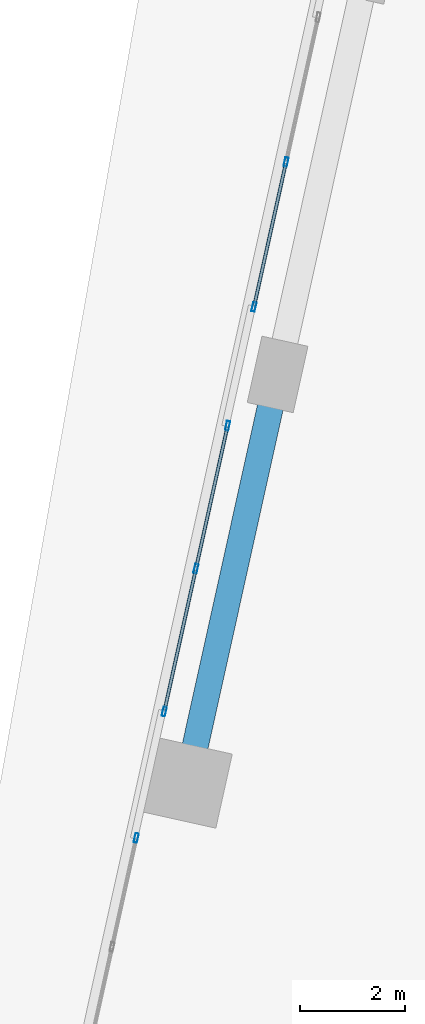
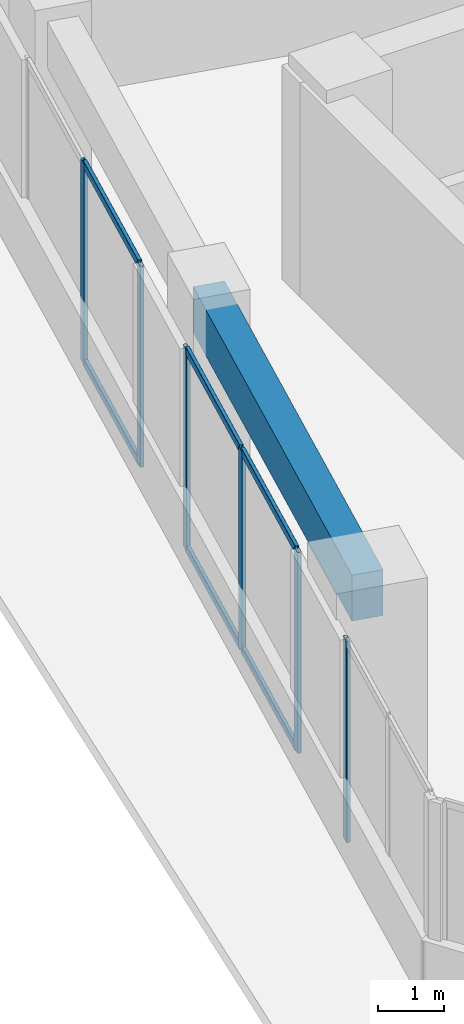
# One storey, part 6 of 25: 12 members, 1 beam, 3 elements without a shape of their own.
"""IFC4 building model written with IfcOpenShell, lengths in metres."""

from ifc_helpers import new_model, si_unit, direction, frame, origin, origin_2d, place, context, subcontext, project, spatial, rectangle, hollow_rectangle, extrude, source, transform, mapped, material, material_profile, profile_set, type_object, element, aggregate, save


model = new_model("IFC4")

# Units and contexts
model_context = context("Model", 3, precision=1e-05, world=origin(), true_north=direction((0.0, 1.0)))
body_context = subcontext(model_context, "Body", "Model", "MODEL_VIEW")
ifc_project = project(units=[si_unit("LENGTHUNIT", "METRE"), si_unit("AREAUNIT", "SQUARE_METRE"), si_unit("VOLUMEUNIT", "CUBIC_METRE"), si_unit("PLANEANGLEUNIT", "RADIAN"), si_unit("MASSUNIT", "GRAM", prefix="KILO")], contexts=[model_context])

# Site, building, storey
site_placement = place(None, origin())
site = spatial("IfcSite", under=ifc_project, at=site_placement, CompositionType="ELEMENT")
building_placement = place(site_placement, origin())
building = spatial("IfcBuilding", under=site, at=building_placement, Name="Torre Montelarca", CompositionType="ELEMENT")
storey_placement = place(building_placement, frame((0.0, 0.0, 87.39990234375)))
storey = spatial("IfcBuildingStorey", under=building, at=storey_placement, Name="L19", CompositionType="ELEMENT", Elevation=87.39990234375)

# Beam
ifc_material_1 = material(Name="Concrete C55/67", Category="concrete")
ifc_material_profile_1 = material_profile(ifc_material_1, rectangle(XDim=0.5, YDim=0.85009765625, at=origin_2d()), Name="RCB500X850", Category="concrete")
ifc_profile_set_1 = profile_set([ifc_material_profile_1], Name="Concrete C55/67")
beam_type = type_object("IfcBeamType", Name="BM-SP-RC850-EXT", PredefinedType="SPANDREL", material=ifc_profile_set_1)
shared_shape_1 = source(origin(), body_context, "Body", "SweptSolid", [
    extrude(rectangle(XDim=0.5, YDim=0.85009765625, at=origin_2d()), origin(), (0.0, 0.0, 1.0), 8.0),
])
beam_placement = place(storey_placement, frame((3.31787109375, 27.836669921875, 3.53515625), z_axis=(0.216432808664, 0.976297515788, 0.0), x_axis=(-0.976297515788, 0.216432808664, 0.0)))
element("IfcBeam", 1, at=beam_placement, inside=storey, type_object=beam_type, Name="L19 Grid Girder Y 24.0-32.0 at X=4.7", PredefinedType="SPANDREL", context=body_context, shape_type="MappedRepresentation", body=[
    mapped(shared_shape_1, transform((0.0, 0.0, 0.0), scale=1.0)),
])

# Curtain wall, members
ifc_material_2 = material(Name="Insulated low-E laminated glass", Category="glass")
curtain_wall_type = type_object("IfcCurtainWallType", Name="CW-SYS-Z1", PredefinedType="USERDEFINED", material=ifc_material_2)
curtain_wall_1_placement = place(storey_placement, origin())
curtain_wall_1 = element("IfcCurtainWall", 2, at=curtain_wall_1_placement, inside=storey, type_object=curtain_wall_type, Name="L19 Curtain Wall Run CW-T3-L19-E10-B1", ObjectType="UNITISED GLAZING", PredefinedType="USERDEFINED")
ifc_material_3 = material(Name="Anodised aluminium AA 6063-T6", Category="aluminium")
ifc_material_profile_2 = material_profile(ifc_material_3, hollow_rectangle(XDim=0.06494140625, YDim=0.139892578125, WallThickness=0.00390625, InnerFilletRadius=0.00390625, OuterFilletRadius=0.008056640625, at=origin_2d()), Name="ALU65X140X4", Category="aluminium")
ifc_profile_set_2 = profile_set([ifc_material_profile_2], Name="Anodised aluminium AA 6063-T6")
member_type_1 = type_object("IfcMemberType", Name="CWT-ALU140", PredefinedType="USERDEFINED", material=ifc_profile_set_2)
shared_shape_2 = source(origin(), body_context, "Body", "SweptSolid", [
    extrude(hollow_rectangle(XDim=0.06494140625, YDim=0.139892578125, WallThickness=0.00390625, InnerFilletRadius=0.00390625, OuterFilletRadius=0.008056640625, at=origin_2d()), origin(), (0.0, 0.0, 1.0), 2.7724609375),
])
member_1_placement = place(storey_placement, frame((5.205322265625, 39.67626953125, 0.03271484375), z_axis=(-0.216445596243, -0.976294680856, 0.0), x_axis=(0.976294680856, -0.216445596243, 0.0)))
member_1 = element("IfcMember", 3, at=member_1_placement, type_object=member_type_1, Name="CW transom 2.1", ObjectType="TRANSOM", PredefinedType="USERDEFINED", context=body_context, shape_type="MappedRepresentation", body=[
    mapped(shared_shape_2, transform((0.0, 0.0, 0.0), scale=1.0)),
])
member_2_placement = place(storey_placement, frame((5.205322265625, 39.67626953125, 3.6875), z_axis=(-0.216445596243, -0.976294680856, 0.0), x_axis=(0.976294680856, -0.216445596243, 0.0)))
member_2 = element("IfcMember", 4, at=member_2_placement, type_object=member_type_1, Name="CW transom 2.2", ObjectType="TRANSOM", PredefinedType="USERDEFINED", context=body_context, shape_type="MappedRepresentation", body=[
    mapped(shared_shape_2, transform((0.0, 0.0, 0.0), scale=1.0)),
])

curtain_wall_2_placement = place(storey_placement, origin())
curtain_wall_2 = element("IfcCurtainWall", 5, at=curtain_wall_2_placement, inside=storey, type_object=curtain_wall_type, Name="L19 Curtain Wall Run CW-T3-L19-E10-B2", ObjectType="UNITISED GLAZING", PredefinedType="USERDEFINED")
shared_shape_3 = source(origin(), body_context, "Body", "SweptSolid", [
    extrude(hollow_rectangle(XDim=0.06494140625, YDim=0.139892578125, WallThickness=0.00390625, InnerFilletRadius=0.00390625, OuterFilletRadius=0.008056640625, at=origin_2d()), origin(), (0.0, 0.0, 1.0), 2.735107421875),
])
member_3_placement = place(storey_placement, frame((4.087890625, 34.63623046875, 0.03271484375), z_axis=(-0.216467306264, -0.976289867467, 0.0), x_axis=(0.976289867467, -0.216467306264, 0.0)))
member_3 = element("IfcMember", 6, at=member_3_placement, type_object=member_type_1, Name="CW transom 1.1", ObjectType="TRANSOM", PredefinedType="USERDEFINED", context=body_context, shape_type="MappedRepresentation", body=[
    mapped(shared_shape_3, transform((0.0, 0.0, 0.0), scale=1.0)),
])
member_4_placement = place(storey_placement, frame((4.087890625, 34.63623046875, 3.6875), z_axis=(-0.216467306264, -0.976289867467, 0.0), x_axis=(0.976289867467, -0.216467306264, 0.0)))
member_4 = element("IfcMember", 7, at=member_4_placement, type_object=member_type_1, Name="CW transom 1.2", ObjectType="TRANSOM", PredefinedType="USERDEFINED", context=body_context, shape_type="MappedRepresentation", body=[
    mapped(shared_shape_3, transform((0.0, 0.0, 0.0), scale=1.0)),
])
member_5_placement = place(storey_placement, frame((3.48193359375, 31.902587890625, 0.03271484375), z_axis=(-0.216467306264, -0.976289867467, 0.0), x_axis=(0.976289867467, -0.216467306264, 0.0)))
member_5 = element("IfcMember", 8, at=member_5_placement, type_object=member_type_1, Name="CW transom 2.1", ObjectType="TRANSOM", PredefinedType="USERDEFINED", context=body_context, shape_type="MappedRepresentation", body=[
    mapped(shared_shape_3, transform((0.0, 0.0, 0.0), scale=1.0)),
])
member_6_placement = place(storey_placement, frame((3.48193359375, 31.902587890625, 3.6875), z_axis=(-0.216467306264, -0.976289867467, 0.0), x_axis=(0.976289867467, -0.216467306264, 0.0)))
member_6 = element("IfcMember", 9, at=member_6_placement, type_object=member_type_1, Name="CW transom 2.2", ObjectType="TRANSOM", PredefinedType="USERDEFINED", context=body_context, shape_type="MappedRepresentation", body=[
    mapped(shared_shape_3, transform((0.0, 0.0, 0.0), scale=1.0)),
])

# Member
ifc_material_profile_3 = material_profile(ifc_material_3, hollow_rectangle(XDim=0.06494140625, YDim=0.179931640625, WallThickness=0.00390625, InnerFilletRadius=0.00390625, OuterFilletRadius=0.008056640625, at=origin_2d()), Name="ALU65X180X4", Category="aluminium")
ifc_profile_set_3 = profile_set([ifc_material_profile_3], Name="Anodised aluminium AA 6063-T6")
member_type_2 = type_object("IfcMemberType", Name="CWM-ALU180", PredefinedType="MULLION", material=ifc_profile_set_3)
shared_shape_4 = source(origin(), body_context, "Body", "SweptSolid", [
    extrude(hollow_rectangle(XDim=0.06494140625, YDim=0.179931640625, WallThickness=0.00390625, InnerFilletRadius=0.00390625, OuterFilletRadius=0.008056640625, at=origin_2d()), origin(), (0.0, 0.0, 1.0), 3.72021484375),
])
member_7_placement = place(storey_placement, frame((5.21240234375, 39.7080078125, 0.0), z_axis=(0.0, 0.0, 1.0), x_axis=(0.976295156344, -0.216443451505, 0.0)))
member_7 = element("IfcMember", 10, at=member_7_placement, type_object=member_type_2, Name="CW mullion 2", PredefinedType="MULLION", context=body_context, shape_type="MappedRepresentation", body=[
    mapped(shared_shape_4, transform((0.0, 0.0, 0.0), scale=1.0)),
])

member_8_placement = place(storey_placement, frame((4.59814453125, 36.937744140625, 0.0), z_axis=(0.0, 0.0, 1.0), x_axis=(0.976295156344, -0.216443451505, 0.0)))
member_8 = element("IfcMember", 11, at=member_8_placement, type_object=member_type_2, Name="CW mullion 3", PredefinedType="MULLION", context=body_context, shape_type="MappedRepresentation", body=[
    mapped(shared_shape_4, transform((0.0, 0.0, 0.0), scale=1.0)),
])

aggregate(curtain_wall_1, [member_7, member_8, member_1, member_2])

member_9_placement = place(storey_placement, frame((4.094970703125, 34.66796875, 0.0), z_axis=(0.0, 0.0, 1.0), x_axis=(0.976297001951, -0.216435126494, 0.0)))
member_9 = element("IfcMember", 12, at=member_9_placement, type_object=member_type_2, Name="CW mullion 1", PredefinedType="MULLION", context=body_context, shape_type="MappedRepresentation", body=[
    mapped(shared_shape_4, transform((0.0, 0.0, 0.0), scale=1.0)),
])

member_10_placement = place(storey_placement, frame((3.48876953125, 31.934326171875, 0.0), z_axis=(0.0, 0.0, 1.0), x_axis=(0.976297001951, -0.216435126494, 0.0)))
member_10 = element("IfcMember", 13, at=member_10_placement, type_object=member_type_2, Name="CW mullion 2", PredefinedType="MULLION", context=body_context, shape_type="MappedRepresentation", body=[
    mapped(shared_shape_4, transform((0.0, 0.0, 0.0), scale=1.0)),
])

member_11_placement = place(storey_placement, frame((2.8828125, 29.20068359375, 0.0), z_axis=(0.0, 0.0, 1.0), x_axis=(0.976297001951, -0.216435126494, 0.0)))
member_11 = element("IfcMember", 14, at=member_11_placement, type_object=member_type_2, Name="CW mullion 3", PredefinedType="MULLION", context=body_context, shape_type="MappedRepresentation", body=[
    mapped(shared_shape_4, transform((0.0, 0.0, 0.0), scale=1.0)),
])

aggregate(curtain_wall_2, [member_9, member_10, member_11, member_3, member_4, member_5, member_6])

# Curtain wall, member
curtain_wall_3_placement = place(storey_placement, origin())
curtain_wall_3 = element("IfcCurtainWall", 15, at=curtain_wall_3_placement, inside=storey, type_object=curtain_wall_type, Name="L19 Curtain Wall Run CW-T3-L19-E10-B3", ObjectType="UNITISED GLAZING", PredefinedType="USERDEFINED")
member_12_placement = place(storey_placement, frame((2.34716796875, 26.7841796875, 0.0), z_axis=(0.0, 0.0, 1.0), x_axis=(0.976291841567, -0.216458402676, 0.0)))
member_12 = element("IfcMember", 16, at=member_12_placement, type_object=member_type_2, Name="CW mullion 1", PredefinedType="MULLION", context=body_context, shape_type="MappedRepresentation", body=[
    mapped(shared_shape_4, transform((0.0, 0.0, 0.0), scale=1.0)),
])
aggregate(curtain_wall_3, [member_12])

save(model, "model.ifc")
